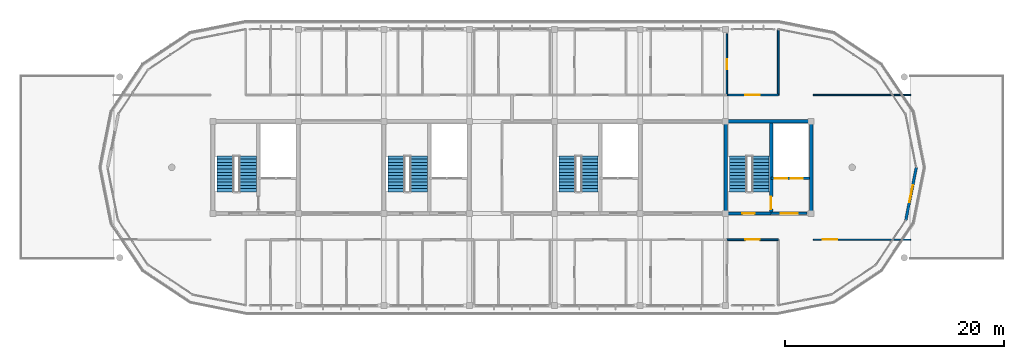
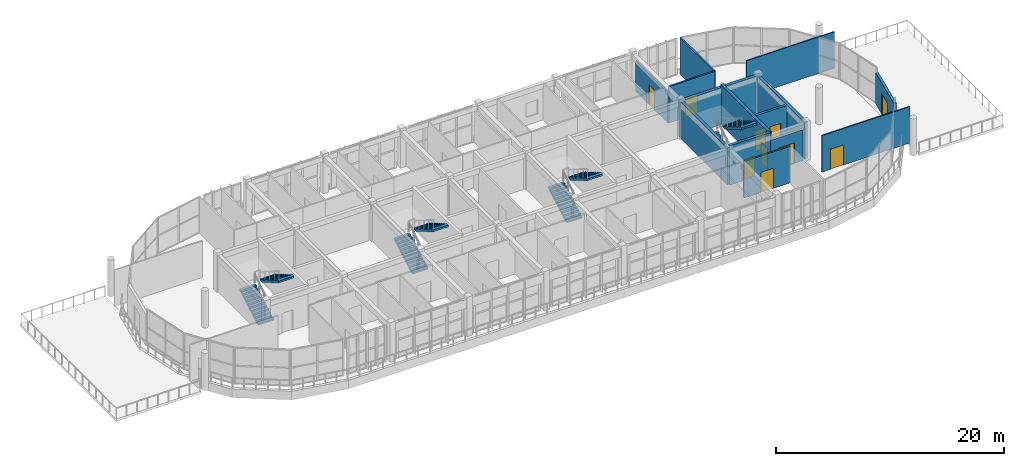
# One storey, part 41 of 44: 14 walls, 10 doors, 8 stair flights, 10 openings, 4 elements without a shape of their own.
"""IFC4 building model written with IfcOpenShell, lengths in metres."""

from ifc_helpers import new_model, si_unit, direction, frame, frame_2d, origin, place, context, subcontext, project, spatial, polyline, rectangle, outline, extrude, material, layer, layer_set, type_object, element, fill, aggregate, save


model = new_model("IFC4")

# Units and contexts
model_context = context("Model", 3, precision=1e-05, world=origin(), true_north=direction((0.0, 1.0)))
body_context = subcontext(model_context, "Body", "Model", "MODEL_VIEW")
ifc_project = project(units=[si_unit("LENGTHUNIT", "METRE"), si_unit("AREAUNIT", "SQUARE_METRE"), si_unit("VOLUMEUNIT", "CUBIC_METRE"), si_unit("PLANEANGLEUNIT", "RADIAN"), si_unit("MASSUNIT", "GRAM", prefix="KILO")], contexts=[model_context])

# Site, building, storey
site_placement = place(None, origin())
site = spatial("IfcSite", under=ifc_project, at=site_placement, CompositionType="ELEMENT")
building_placement = place(site_placement, origin())
building = spatial("IfcBuilding", under=site, at=building_placement, Name="Zizhar Promenade General Hospital", CompositionType="ELEMENT")
storey_placement = place(building_placement, frame((0.0, 0.0, 34.800048828125)))
storey = spatial("IfcBuildingStorey", under=building, at=storey_placement, Name="L08", CompositionType="ELEMENT", Elevation=34.800048828125)

# Wall, opening, door
ifc_material_1 = material(Name="Precast concrete C40/50", Category="concrete")
ifc_layer_1 = layer(ifc_material_1, 0.2451171875)
ifc_layer_set_1 = layer_set([ifc_layer_1], Name="Precast concrete C40/50")
wall_type_1 = type_object("IfcWallType", Name="EW-PC-245", PredefinedType="STANDARD", material=ifc_layer_set_1)
wall_1_placement = place(storey_placement, frame((111.0, 12.60009765625, 0.0), z_axis=(0.0, 0.0, 1.0), x_axis=(-0.195065517012, -0.980790214099, 0.0)))
wall_1 = element("IfcWall", 1, at=wall_1_placement, inside=storey, type_object=wall_type_1, Name="Ward East Terrace Portal Wall L08", PredefinedType="STANDARD", context=body_context, shape_type="SweptSolid", body=[
    extrude(rectangle(XDim=4.916259765625, YDim=0.2451171875, at=frame_2d((2.4580078125, 0.0))), origin(), (0.0, 0.0, 1.0), 3.320068359375),
])
opening_1_placement = place(wall_1_placement, frame((1.658203125, 0.0, 0.0)))
opening_1 = element("IfcOpeningElement", 2, at=opening_1_placement, cuts=wall_1, Name="Opening ED-05", PredefinedType="OPENING", context=body_context, shape_type="SweptSolid", body=[
    extrude(rectangle(XDim=1.60009765625, YDim=2.199951171875, at=frame_2d((0.800048828125, 1.10009765625))), frame((0.0, 0.132568359375, 0.0), z_axis=(0.0, -1.0, 0.0), x_axis=(1.0, 0.0, 0.0)), (0.0, 0.0, 1.0), 0.26513671875),
])
ifc_material_2 = material(Name="Anodised aluminium 6063-T6 and laminated safety glass", Category="aluminium")
door_type_1 = type_object("IfcDoorType", Name="DR-EXT-TERR-160x220", OperationType="DOUBLE_DOOR_SINGLE_SWING", PredefinedType="DOOR", material=ifc_material_2)
door_1_placement = place(opening_1_placement, origin())
door_1 = element("IfcDoor", 3, at=door_1_placement, inside=storey, type_object=door_type_1, Name="Level L08 East Recovery Terrace Door", OperationType="DOUBLE_DOOR_SINGLE_SWING", OverallHeight=2.199951171875, OverallWidth=1.60009765625, PredefinedType="DOOR", context=body_context, shape_type="SweptSolid", body=[
    extrude(rectangle(XDim=1.60009765625, YDim=2.199951171875, at=frame_2d((0.800048828125, 1.10009765625))), frame((0.0, 0.02490234375, 0.0), z_axis=(0.0, -1.0, 0.0), x_axis=(1.0, 0.0, 0.0)), (0.0, 0.0, 1.0), 0.050048828125),
])
fill(opening_1, door_1)

ifc_material_3 = material(Name="Concrete C35/45", Category="concrete")
ifc_layer_2 = layer(ifc_material_3, 0.215087890625)
ifc_layer_set_2 = layer_set([ifc_layer_2], Name="Concrete C35/45")
wall_type_2 = type_object("IfcWallType", Name="IW-LOBBY-215", PredefinedType="STANDARD", material=ifc_layer_set_2)
wall_2_placement = place(storey_placement, frame((97.75, 8.39990234375, 0.0), z_axis=(0.0, 0.0, 1.0), x_axis=(1.0, 0.0, 0.0)))
wall_2 = element("IfcWall", 4, at=wall_2_placement, inside=storey, type_object=wall_type_2, Name="Core C5 Lift Lobby South Fire Wall (L08)", PredefinedType="STANDARD", context=body_context, shape_type="SweptSolid", body=[
    extrude(rectangle(XDim=3.2900390625, YDim=0.215087890625, at=frame_2d((1.64501953125, 0.0))), origin(), (0.0, 0.0, 1.0), 3.320068359375),
])
opening_2_placement = place(wall_2_placement, frame((0.864990234375, 0.0, 0.0)))
opening_2 = element("IfcOpeningElement", 5, at=opening_2_placement, cuts=wall_2, Name="Opening D-22", PredefinedType="OPENING", context=body_context, shape_type="SweptSolid", body=[
    extrude(rectangle(XDim=1.56005859375, YDim=2.199951171875, at=frame_2d((0.780029296875, 1.10009765625))), frame((0.0, 0.11767578125, 0.0), z_axis=(0.0, -1.0, 0.0), x_axis=(1.0, 0.0, 0.0)), (0.0, 0.0, 1.0), 0.235107421875),
])
ifc_material_4 = material(Name="Steel S355 firefighting lobby pair", Category="steel")
door_type_2 = type_object("IfcDoorType", Name="DR-LOBBY-FF-156x220", OperationType="DOUBLE_DOOR_SINGLE_SWING", PredefinedType="DOOR", material=ifc_material_4)
door_2_placement = place(opening_2_placement, origin())
door_2 = element("IfcDoor", 6, at=door_2_placement, inside=storey, type_object=door_type_2, Name="Core C5 Firefighting Lift Lobby Door (L08)", OperationType="DOUBLE_DOOR_SINGLE_SWING", OverallHeight=2.199951171875, OverallWidth=1.56005859375, PredefinedType="DOOR", context=body_context, shape_type="SweptSolid", body=[
    extrude(rectangle(XDim=1.56005859375, YDim=2.199951171875, at=frame_2d((0.780029296875, 1.10009765625))), frame((0.0, 0.02490234375, 0.0), z_axis=(0.0, -1.0, 0.0), x_axis=(1.0, 0.0, 0.0)), (0.0, 0.0, 1.0), 0.050048828125),
])
fill(opening_2, door_2)

# Wall, openings, doors
ifc_material_5 = material(Name="Concrete C35/45", Category="concrete")
ifc_layer_3 = layer(ifc_material_5, 0.25)
ifc_layer_set_3 = layer_set([ifc_layer_3], Name="Concrete C35/45")
wall_type_3 = type_object("IfcWallType", Name="IW-SHAFT-250", PredefinedType="STANDARD", material=ifc_layer_set_3)
wall_3_placement = place(storey_placement, frame((97.75, 11.60009765625, 0.0), z_axis=(0.0, 0.0, 1.0), x_axis=(1.0, 0.0, 0.0)))
wall_3 = element("IfcWall", 7, at=wall_3_placement, inside=storey, type_object=wall_type_3, Name="Core C5 Lift Shaft Landing Wall (L08)", PredefinedType="STANDARD", context=body_context, shape_type="SweptSolid", body=[
    extrude(rectangle(XDim=3.5, YDim=0.25, at=frame_2d((1.75, 0.0))), origin(), (0.0, 0.0, 1.0), 3.89990234375),
])
opening_3_placement = place(wall_3_placement, frame((0.35009765625, 0.0, 0.0)))
opening_3 = element("IfcOpeningElement", 8, at=opening_3_placement, cuts=wall_3, Name="Opening LD-11", PredefinedType="OPENING", context=body_context, shape_type="SweptSolid", body=[
    extrude(rectangle(XDim=1.10009765625, YDim=2.199951171875, at=frame_2d((0.550048828125, 1.10009765625))), frame((0.0, 0.135009765625, 0.0), z_axis=(0.0, -1.0, 0.0), x_axis=(1.0, 0.0, 0.0)), (0.0, 0.0, 1.0), 0.27001953125),
])
opening_4_placement = place(wall_3_placement, frame((1.800048828125, 0.0, 0.0)))
opening_4 = element("IfcOpeningElement", 9, at=opening_4_placement, cuts=wall_3, Name="Opening LD-11", PredefinedType="OPENING", context=body_context, shape_type="SweptSolid", body=[
    extrude(rectangle(XDim=1.10009765625, YDim=2.199951171875, at=frame_2d((0.550048828125, 1.10009765625))), frame((0.0, 0.135009765625, 0.0), z_axis=(0.0, -1.0, 0.0), x_axis=(1.0, 0.0, 0.0)), (0.0, 0.0, 1.0), 0.27001953125),
])
ifc_material_6 = material(Name="Stainless Steel S355 passenger lift landing door", Category="steel")
door_type_3 = type_object("IfcDoorType", Name="DR-LIFT-LD11", OperationType="SLIDING_TO_LEFT", PredefinedType="DOOR", material=ifc_material_6)
door_3_placement = place(opening_3_placement, origin())
door_3 = element("IfcDoor", 10, at=door_3_placement, inside=storey, type_object=door_type_3, Name="Lift LF-02 Sliding Landing Door (L08)", OperationType="SLIDING_TO_LEFT", OverallHeight=2.199951171875, OverallWidth=1.10009765625, PredefinedType="DOOR", context=body_context, shape_type="SweptSolid", body=[
    extrude(rectangle(XDim=1.10009765625, YDim=2.199951171875, at=frame_2d((0.550048828125, 1.10009765625))), frame((0.0, 0.02490234375, 0.0), z_axis=(0.0, -1.0, 0.0), x_axis=(1.0, 0.0, 0.0)), (0.0, 0.0, 1.0), 0.050048828125),
])
fill(opening_3, door_3)
door_4_placement = place(opening_4_placement, origin())
door_4 = element("IfcDoor", 11, at=door_4_placement, inside=storey, type_object=door_type_3, Name="Lift LB-04 Sliding Landing Door (L08)", OperationType="SLIDING_TO_LEFT", OverallHeight=2.199951171875, OverallWidth=1.10009765625, PredefinedType="DOOR", context=body_context, shape_type="SweptSolid", body=[
    extrude(rectangle(XDim=1.10009765625, YDim=2.199951171875, at=frame_2d((0.550048828125, 1.10009765625))), frame((0.0, 0.02490234375, 0.0), z_axis=(0.0, -1.0, 0.0), x_axis=(1.0, 0.0, 0.0)), (0.0, 0.0, 1.0), 0.050048828125),
])
fill(opening_4, door_4)

# Wall, opening, door
ifc_material_7 = material(Name="Clean utility gypsum partition")
ifc_layer_4 = layer(ifc_material_7, 0.114990234375)
ifc_layer_set_4 = layer_set([ifc_layer_4], Name="Clean utility gypsum partition")
wall_type_4 = type_object("IfcWallType", Name="IW-STR-115", PredefinedType="PARTITIONING", material=ifc_layer_set_4)
wall_4_placement = place(storey_placement, frame((101.60009765625, 6.0, 0.0), z_axis=(0.0, 0.0, 1.0), x_axis=(1.0, 0.0, 0.0)))
wall_4 = element("IfcWall", 12, at=wall_4_placement, inside=storey, type_object=wall_type_4, Name="East Patient Recovery Solarium L08 S Partition", PredefinedType="PARTITIONING", context=body_context, shape_type="SweptSolid", body=[
    extrude(rectangle(XDim=8.89990234375, YDim=0.114990234375, at=frame_2d((4.449951171875, 0.0))), origin(), (0.0, 0.0, 1.0), 3.89990234375),
])
opening_5_placement = place(wall_4_placement, frame((0.85009765625, 0.0, 0.0)))
opening_5 = element("IfcOpeningElement", 13, at=opening_5_placement, cuts=wall_4, Name="Opening D-26", PredefinedType="OPENING", context=body_context, shape_type="SweptSolid", body=[
    extrude(rectangle(XDim=1.320068359375, YDim=2.14990234375, at=frame_2d((0.66015625, 1.074951171875))), frame((0.0, 0.0673828125, 0.0), z_axis=(0.0, -1.0, 0.0), x_axis=(1.0, 0.0, 0.0)), (0.0, 0.0, 1.0), 0.135009765625),
])
ifc_material_8 = material(Name="Fire-rated timber store leaf", Category="wood")
door_type_4 = type_object("IfcDoorType", Name="DR-STORE-132x215", OperationType="NOTDEFINED", PredefinedType="DOOR", material=ifc_material_8)
door_5_placement = place(opening_5_placement, origin())
door_5 = element("IfcDoor", 14, at=door_5_placement, inside=storey, type_object=door_type_4, Name="East Patient Recovery Solarium L08 Door", OperationType="SINGLE_SWING_LEFT", OverallHeight=2.14990234375, OverallWidth=1.320068359375, PredefinedType="DOOR", context=body_context, shape_type="SweptSolid", body=[
    extrude(rectangle(XDim=1.320068359375, YDim=2.14990234375, at=frame_2d((0.66015625, 1.074951171875))), frame((0.0, 0.02490234375, 0.0), z_axis=(0.0, -1.0, 0.0), x_axis=(1.0, 0.0, 0.0)), (0.0, 0.0, 1.0), 0.050048828125),
])
fill(opening_5, door_5)

# Wall
wall_5_placement = place(storey_placement, frame((101.60009765625, 19.199951171875, 0.0), z_axis=(0.0, 0.0, 1.0), x_axis=(1.0, 0.0, 0.0)))
element("IfcWall", 15, at=wall_5_placement, inside=storey, type_object=wall_type_4, Name="East Patient Recovery Solarium L08 N Partition", PredefinedType="PARTITIONING", context=body_context, shape_type="SweptSolid", body=[
    extrude(rectangle(XDim=8.89990234375, YDim=0.114990234375, at=frame_2d((4.449951171875, 0.0))), origin(), (0.0, 0.0, 1.0), 3.89990234375),
])

# Wall, opening, door
ifc_material_9 = material(Name="Acoustic patient bedroom partition")
ifc_layer_5 = layer(ifc_material_9, 0.155029296875)
ifc_layer_set_5 = layer_set([ifc_layer_5], Name="Acoustic patient bedroom partition")
wall_type_5 = type_object("IfcWallType", Name="IW-WARD-155", PredefinedType="PARTITIONING", material=ifc_layer_set_5)
wall_6_placement = place(storey_placement, frame((93.717041015625, 6.0, 0.0), z_axis=(0.0, 0.0, 1.0), x_axis=(1.0, 0.0, 0.0)))
wall_6 = element("IfcWall", 16, at=wall_6_placement, inside=storey, type_object=wall_type_5, Name="Paediatric Inpatient Ward L08-S07 N Partition", PredefinedType="PARTITIONING", context=body_context, shape_type="SweptSolid", body=[
    extrude(rectangle(XDim=4.682861328125, YDim=0.155029296875, at=frame_2d((2.34130859375, 0.0))), origin(), (0.0, 0.0, 1.0), 3.89990234375),
])
opening_6_placement = place(wall_6_placement, frame((1.69140625, 0.0, 0.0)))
opening_6 = element("IfcOpeningElement", 17, at=opening_6_placement, cuts=wall_6, Name="Opening D-09", PredefinedType="OPENING", context=body_context, shape_type="SweptSolid", body=[
    extrude(rectangle(XDim=1.300048828125, YDim=2.14990234375, at=frame_2d((0.64990234375, 1.074951171875))), frame((0.0, 0.08740234375, 0.0), z_axis=(0.0, -1.0, 0.0), x_axis=(1.0, 0.0, 0.0)), (0.0, 0.0, 1.0), 0.175048828125),
])
ifc_material_10 = material(Name="Fire-rated timber paediatric bed leaf", Category="wood")
door_type_5 = type_object("IfcDoorType", Name="DR-BED-PAED-130x215", OperationType="NOTDEFINED", PredefinedType="DOOR", material=ifc_material_10)
door_6_placement = place(opening_6_placement, origin())
door_6 = element("IfcDoor", 18, at=door_6_placement, inside=storey, type_object=door_type_5, Name="Paediatric Inpatient Ward L08-S07 Door", OperationType="SINGLE_SWING_RIGHT", OverallHeight=2.14990234375, OverallWidth=1.300048828125, PredefinedType="DOOR", context=body_context, shape_type="SweptSolid", body=[
    extrude(rectangle(XDim=1.300048828125, YDim=2.14990234375, at=frame_2d((0.64990234375, 1.074951171875))), frame((0.0, 0.02490234375, 0.0), z_axis=(0.0, -1.0, 0.0), x_axis=(1.0, 0.0, 0.0)), (0.0, 0.0, 1.0), 0.050048828125),
])
fill(opening_6, door_6)

wall_7_placement = place(storey_placement, frame((93.717041015625, 19.199951171875, 0.0), z_axis=(0.0, 0.0, 1.0), x_axis=(1.0, 0.0, 0.0)))
wall_7 = element("IfcWall", 19, at=wall_7_placement, inside=storey, type_object=wall_type_5, Name="Paediatric Inpatient Ward L08-N07 S Partition", PredefinedType="PARTITIONING", context=body_context, shape_type="SweptSolid", body=[
    extrude(rectangle(XDim=4.682861328125, YDim=0.155029296875, at=frame_2d((2.34130859375, 0.0))), origin(), (0.0, 0.0, 1.0), 3.89990234375),
])
opening_7_placement = place(wall_7_placement, frame((1.69140625, 0.0, 0.0)))
opening_7 = element("IfcOpeningElement", 20, at=opening_7_placement, cuts=wall_7, Name="Opening D-09", PredefinedType="OPENING", context=body_context, shape_type="SweptSolid", body=[
    extrude(rectangle(XDim=1.300048828125, YDim=2.14990234375, at=frame_2d((0.64990234375, 1.074951171875))), frame((0.0, 0.08740234375, 0.0), z_axis=(0.0, -1.0, 0.0), x_axis=(1.0, 0.0, 0.0)), (0.0, 0.0, 1.0), 0.175048828125),
])
door_7_placement = place(opening_7_placement, origin())
door_7 = element("IfcDoor", 21, at=door_7_placement, inside=storey, type_object=door_type_5, Name="Paediatric Inpatient Ward L08-N07 Door", OperationType="SINGLE_SWING_LEFT", OverallHeight=2.14990234375, OverallWidth=1.300048828125, PredefinedType="DOOR", context=body_context, shape_type="SweptSolid", body=[
    extrude(rectangle(XDim=1.300048828125, YDim=2.14990234375, at=frame_2d((0.64990234375, 1.074951171875))), frame((0.0, 0.02490234375, 0.0), z_axis=(0.0, -1.0, 0.0), x_axis=(1.0, 0.0, 0.0)), (0.0, 0.0, 1.0), 0.050048828125),
])
fill(opening_7, door_7)

# Wall
wall_8_placement = place(storey_placement, frame((98.39990234375, 19.199951171875, 0.0), z_axis=(0.0, 0.0, 1.0), x_axis=(0.0, 1.0, 0.0)))
element("IfcWall", 22, at=wall_8_placement, inside=storey, type_object=wall_type_5, Name="Paediatric Inpatient Ward L08-N07 E Partition", PredefinedType="PARTITIONING", context=body_context, shape_type="SweptSolid", body=[
    extrude(rectangle(XDim=5.955078125, YDim=0.155029296875, at=frame_2d((2.9775390625, 0.0))), origin(), (0.0, 0.0, 1.0), 3.89990234375),
])

# Wall, opening, door
ifc_material_11 = material(Name="Moisture-resistant en-suite wet partition")
ifc_layer_6 = layer(ifc_material_11, 0.125)
ifc_layer_set_6 = layer_set([ifc_layer_6], Name="Moisture-resistant en-suite wet partition")
wall_type_6 = type_object("IfcWallType", Name="IW-WET-125", PredefinedType="PARTITIONING", material=ifc_layer_set_6)
wall_9_placement = place(storey_placement, frame((93.70703125, 19.199951171875, 0.0), z_axis=(0.0, 0.0, 1.0), x_axis=(0.0, 1.0, 0.0)))
wall_9 = element("IfcWall", 23, at=wall_9_placement, inside=storey, type_object=wall_type_6, Name="En-Suite Patient Bathroom L08-N07 E Partition", PredefinedType="PARTITIONING", context=body_context, shape_type="SweptSolid", body=[
    extrude(rectangle(XDim=5.594970703125, YDim=0.125, at=frame_2d((2.79736328125, 0.0))), origin(), (0.0, 0.0, 1.0), 3.304931640625),
])
opening_8_placement = place(wall_9_placement, frame((2.33740234375, 0.0, 0.0)))
opening_8 = element("IfcOpeningElement", 24, at=opening_8_placement, cuts=wall_9, Name="Opening D-18", PredefinedType="OPENING", context=body_context, shape_type="SweptSolid", body=[
    extrude(rectangle(XDim=0.919921875, YDim=2.10009765625, at=frame_2d((0.4599609375, 1.050048828125))), frame((0.0, 0.072509765625, 0.0), z_axis=(0.0, -1.0, 0.0), x_axis=(1.0, 0.0, 0.0)), (0.0, 0.0, 1.0), 0.14501953125),
])
ifc_material_12 = material(Name="Moisture-resistant timber en-suite leaf", Category="wood")
door_type_6 = type_object("IfcDoorType", Name="DR-ENS-STD-092x210", OperationType="NOTDEFINED", PredefinedType="DOOR", material=ifc_material_12)
door_8_placement = place(opening_8_placement, origin())
door_8 = element("IfcDoor", 25, at=door_8_placement, inside=storey, type_object=door_type_6, Name="En-Suite Patient Bathroom L08-N07 Door", OperationType="SINGLE_SWING_LEFT", OverallHeight=2.10009765625, OverallWidth=0.919921875, PredefinedType="DOOR", context=body_context, shape_type="SweptSolid", body=[
    extrude(rectangle(XDim=0.919921875, YDim=2.10009765625, at=frame_2d((0.4599609375, 1.050048828125))), frame((0.0, 0.02490234375, 0.0), z_axis=(0.0, -1.0, 0.0), x_axis=(1.0, 0.0, 0.0)), (0.0, 0.0, 1.0), 0.050048828125),
])
fill(opening_8, door_8)

# Walls
ifc_material_13 = material(Name="Concrete C40/50", Category="concrete")
ifc_layer_7 = layer(ifc_material_13, 0.300048828125)
ifc_layer_set_7 = layer_set([ifc_layer_7], Name="Concrete C40/50")
wall_type_7 = type_object("IfcWallType", Name="WL-CORE-300", PredefinedType="SHEAR", material=ifc_layer_set_7)
wall_10_placement = place(storey_placement, frame((93.449951171875, 16.800048828125, 0.0), z_axis=(0.0, 0.0, 1.0), x_axis=(1.0, 0.0, 0.0)))
element("IfcWall", 26, at=wall_10_placement, inside=storey, type_object=wall_type_7, Name="Core C5 North Shear Wall L08", PredefinedType="SHEAR", context=body_context, shape_type="SweptSolid", body=[
    extrude(rectangle(XDim=8.10009765625, YDim=0.300048828125, at=frame_2d((4.050048828125, 0.0))), origin(), (0.0, 0.0, 1.0), 3.919921875),
])
for number, where, z_axis, x_axis, name in (
    (27, (93.60009765625, 8.39990234375, 0.0), (0.0, 0.0, 1.0), (0.0, 1.0, 0.0), "Core C5 West Shear Wall L08"),
    (28, (101.39990234375, 8.39990234375, 0.0), (0.0, 0.0, 1.0), (0.0, 1.0, 0.0), "Core C5 East Shear Wall L08"),
):
    element("IfcWall", number, at=place(storey_placement, frame(where, z_axis=z_axis, x_axis=x_axis)), inside=storey, type_object=wall_type_7, Name=name, PredefinedType="SHEAR", context=body_context, shape_type="SweptSolid", body=[
        extrude(rectangle(XDim=8.400146484375, YDim=0.300048828125, at=frame_2d((4.2001953125, 0.0))), origin(), (0.0, 0.0, 1.0), 3.919921875),
    ])

# Wall, opening, door
wall_11_placement = place(storey_placement, frame((93.60009765625, 8.39990234375, 0.0), z_axis=(0.0, 0.0, 1.0), x_axis=(1.0, 0.0, 0.0)))
wall_11 = element("IfcWall", 29, at=wall_11_placement, inside=storey, type_object=wall_type_7, Name="Core C5 Stair South Fire Wall (L08)", PredefinedType="SHEAR", context=body_context, shape_type="SweptSolid", body=[
    extrude(rectangle(XDim=4.14990234375, YDim=0.300048828125, at=frame_2d((2.074951171875, 0.0))), origin(), (0.0, 0.0, 1.0), 4.199951171875),
])
opening_9_placement = place(wall_11_placement, frame((1.514892578125, 0.0, 0.0)))
opening_9 = element("IfcOpeningElement", 30, at=opening_9_placement, cuts=wall_11, Name="Opening D-21", PredefinedType="OPENING", context=body_context, shape_type="SweptSolid", body=[
    extrude(rectangle(XDim=1.1201171875, YDim=2.14990234375, at=frame_2d((0.56005859375, 1.074951171875))), frame((0.0, 0.16015625, 0.0), z_axis=(0.0, -1.0, 0.0), x_axis=(1.0, 0.0, 0.0)), (0.0, 0.0, 1.0), 0.320068359375),
])
ifc_material_14 = material(Name="Steel S355 protected stair door", Category="steel")
door_type_7 = type_object("IfcDoorType", Name="DR-STAIR-112x215", OperationType="NOTDEFINED", PredefinedType="DOOR", material=ifc_material_14)
door_9_placement = place(opening_9_placement, origin())
door_9 = element("IfcDoor", 31, at=door_9_placement, inside=storey, type_object=door_type_7, Name="Exit Stair ST-05 Door (L08)", OperationType="SINGLE_SWING_RIGHT", OverallHeight=2.14990234375, OverallWidth=1.1201171875, PredefinedType="DOOR", context=body_context, shape_type="SweptSolid", body=[
    extrude(rectangle(XDim=1.1201171875, YDim=2.14990234375, at=frame_2d((0.56005859375, 1.074951171875))), frame((0.0, 0.02490234375, 0.0), z_axis=(0.0, -1.0, 0.0), x_axis=(1.0, 0.0, 0.0)), (0.0, 0.0, 1.0), 0.050048828125),
])
fill(opening_9, door_9)

wall_12_placement = place(storey_placement, frame((97.75, 8.39990234375, 0.0), z_axis=(0.0, 0.0, 1.0), x_axis=(0.0, 1.0, 0.0)))
wall_12 = element("IfcWall", 32, at=wall_12_placement, inside=storey, type_object=wall_type_7, Name="Core C5 Stair-Shaft Separation Wall (L08)", PredefinedType="SHEAR", context=body_context, shape_type="SweptSolid", body=[
    extrude(rectangle(XDim=8.400146484375, YDim=0.300048828125, at=frame_2d((4.2001953125, 0.0))), origin(), (0.0, 0.0, 1.0), 4.199951171875),
])
opening_10_placement = place(wall_12_placement, frame((0.39990234375, 0.0, 0.0)))
opening_10 = element("IfcOpeningElement", 33, at=opening_10_placement, cuts=wall_12, Name="Opening D-21", PredefinedType="OPENING", context=body_context, shape_type="SweptSolid", body=[
    extrude(rectangle(XDim=1.1201171875, YDim=2.14990234375, at=frame_2d((0.56005859375, 1.074951171875))), frame((0.0, 0.16015625, 0.0), z_axis=(0.0, -1.0, 0.0), x_axis=(1.0, 0.0, 0.0)), (0.0, 0.0, 1.0), 0.320068359375),
])
door_10_placement = place(opening_10_placement, origin())
door_10 = element("IfcDoor", 34, at=door_10_placement, inside=storey, type_object=door_type_7, Name="Firefighting Lobby to Stair ST-05 Door (L08)", OperationType="SINGLE_SWING_LEFT", OverallHeight=2.14990234375, OverallWidth=1.1201171875, PredefinedType="DOOR", context=body_context, shape_type="SweptSolid", body=[
    extrude(rectangle(XDim=1.1201171875, YDim=2.14990234375, at=frame_2d((0.56005859375, 1.074951171875))), frame((0.0, 0.02490234375, 0.0), z_axis=(0.0, -1.0, 0.0), x_axis=(1.0, 0.0, 0.0)), (0.0, 0.0, 1.0), 0.050048828125),
])
fill(opening_10, door_10)

# Stair, stair flights
ifc_material_15 = material(Name="Concrete C35/45", Category="concrete")
stair_type = type_object("IfcStairType", Name="STR-DOG-420", PredefinedType="HALF_TURN_STAIR", material=ifc_material_15)
stair_1_placement = place(storey_placement, origin())
stair_1 = element("IfcStair", 35, at=stair_1_placement, inside=storey, type_object=stair_type, Name="Exit Stair ST-02 (L08 to L09)", PredefinedType="HALF_TURN_STAIR")
ifc_material_16 = material(Name="Concrete C35/45", Category="concrete")
stair_flight_type = type_object("IfcStairFlightType", Name="SFL-DOG-420", PredefinedType="STRAIGHT", material=ifc_material_16)
stair_flight_1_placement = place(storey_placement, frame((47.949951171875, 10.35009765625, 0.0), z_axis=(0.0, 0.0, 1.0), x_axis=(0.0, 1.0, 0.0)))
stair_flight_1 = element("IfcStairFlight", 36, at=stair_flight_1_placement, type_object=stair_flight_type, Name="ST-02C flight 1", NumberOfRisers=12, NumberOfTreads=11, PredefinedType="STRAIGHT", RiserHeight=0.175, TreadLength=0.3, context=body_context, shape_type="SweptSolid", body=[
    extrude(outline(polyline([(0.0, 0.0), (0.0, 0.175048828125), (0.300048828125, 0.175048828125), (0.300048828125, 0.35009765625), (0.60009765625, 0.35009765625), (0.60009765625, 0.52490234375), (0.89990234375, 0.52490234375), (0.89990234375, 0.699951171875), (1.199951171875, 0.699951171875), (1.199951171875, 0.875), (1.5, 0.875), (1.5, 1.050048828125), (1.800048828125, 1.050048828125), (1.800048828125, 1.22509765625), (2.10009765625, 1.22509765625), (2.10009765625, 1.39990234375), (2.39990234375, 1.39990234375), (2.39990234375, 1.574951171875), (2.699951171875, 1.574951171875), (2.699951171875, 1.75), (3.0, 1.75), (3.0, 1.925048828125), (3.300048828125, 1.925048828125), (3.300048828125, 2.10009765625), (3.300048828125, 1.716796875), (0.357177734375, 0.0), (0.0, 0.0)])), frame((0.0, 0.780029296875, 0.0), z_axis=(0.0, -1.0, 0.0), x_axis=(1.0, 0.0, 0.0)), (0.0, 0.0, 1.0), 1.56005859375),
])
stair_flight_2_placement = place(storey_placement, frame((49.989990234375, 13.64990234375, 2.099853515625), z_axis=(0.0, 0.0, 1.0), x_axis=(0.0, -1.0, 0.0)))
stair_flight_2 = element("IfcStairFlight", 37, at=stair_flight_2_placement, type_object=stair_flight_type, Name="ST-02C flight 2", NumberOfRisers=12, NumberOfTreads=11, PredefinedType="STRAIGHT", RiserHeight=0.175, TreadLength=0.3, context=body_context, shape_type="SweptSolid", body=[
    extrude(outline(polyline([(0.0, 0.0), (0.0, 0.175048828125), (0.300048828125, 0.175048828125), (0.300048828125, 0.35009765625), (0.60009765625, 0.35009765625), (0.60009765625, 0.52490234375), (0.89990234375, 0.52490234375), (0.89990234375, 0.699951171875), (1.199951171875, 0.699951171875), (1.199951171875, 0.875), (1.5, 0.875), (1.5, 1.050048828125), (1.800048828125, 1.050048828125), (1.800048828125, 1.22509765625), (2.10009765625, 1.22509765625), (2.10009765625, 1.39990234375), (2.39990234375, 1.39990234375), (2.39990234375, 1.574951171875), (2.699951171875, 1.574951171875), (2.699951171875, 1.75), (3.0, 1.75), (3.0, 1.925048828125), (3.300048828125, 1.925048828125), (3.300048828125, 2.10009765625), (3.300048828125, 1.716796875), (0.357177734375, 0.0), (0.0, 0.0)])), frame((0.0, 0.780029296875, 0.0), z_axis=(0.0, -1.0, 0.0), x_axis=(1.0, 0.0, 0.0)), (0.0, 0.0, 1.0), 1.56005859375),
])
aggregate(stair_1, [stair_flight_1, stair_flight_2])

stair_2_placement = place(storey_placement, origin())
stair_2 = element("IfcStair", 38, at=stair_2_placement, inside=storey, type_object=stair_type, Name="Exit Stair ST-03 (L08 to L09)", PredefinedType="HALF_TURN_STAIR")
stair_flight_3_placement = place(storey_placement, frame((63.550048828125, 10.35009765625, 0.0), z_axis=(0.0, 0.0, 1.0), x_axis=(0.0, 1.0, 0.0)))
stair_flight_3 = element("IfcStairFlight", 39, at=stair_flight_3_placement, type_object=stair_flight_type, Name="ST-03C flight 1", NumberOfRisers=12, NumberOfTreads=11, PredefinedType="STRAIGHT", RiserHeight=0.175, TreadLength=0.3, context=body_context, shape_type="SweptSolid", body=[
    extrude(outline(polyline([(0.0, 0.0), (0.0, 0.175048828125), (0.300048828125, 0.175048828125), (0.300048828125, 0.35009765625), (0.60009765625, 0.35009765625), (0.60009765625, 0.52490234375), (0.89990234375, 0.52490234375), (0.89990234375, 0.699951171875), (1.199951171875, 0.699951171875), (1.199951171875, 0.875), (1.5, 0.875), (1.5, 1.050048828125), (1.800048828125, 1.050048828125), (1.800048828125, 1.22509765625), (2.10009765625, 1.22509765625), (2.10009765625, 1.39990234375), (2.39990234375, 1.39990234375), (2.39990234375, 1.574951171875), (2.699951171875, 1.574951171875), (2.699951171875, 1.75), (3.0, 1.75), (3.0, 1.925048828125), (3.300048828125, 1.925048828125), (3.300048828125, 2.10009765625), (3.300048828125, 1.716796875), (0.357177734375, 0.0), (0.0, 0.0)])), frame((0.0, 0.780029296875, 0.0), z_axis=(0.0, -1.0, 0.0), x_axis=(1.0, 0.0, 0.0)), (0.0, 0.0, 1.0), 1.56005859375),
])
stair_flight_4_placement = place(storey_placement, frame((65.590087890625, 13.64990234375, 2.099853515625), z_axis=(0.0, 0.0, 1.0), x_axis=(0.0, -1.0, 0.0)))
stair_flight_4 = element("IfcStairFlight", 40, at=stair_flight_4_placement, type_object=stair_flight_type, Name="ST-03C flight 2", NumberOfRisers=12, NumberOfTreads=11, PredefinedType="STRAIGHT", RiserHeight=0.175, TreadLength=0.3, context=body_context, shape_type="SweptSolid", body=[
    extrude(outline(polyline([(0.0, 0.0), (0.0, 0.175048828125), (0.300048828125, 0.175048828125), (0.300048828125, 0.35009765625), (0.60009765625, 0.35009765625), (0.60009765625, 0.52490234375), (0.89990234375, 0.52490234375), (0.89990234375, 0.699951171875), (1.199951171875, 0.699951171875), (1.199951171875, 0.875), (1.5, 0.875), (1.5, 1.050048828125), (1.800048828125, 1.050048828125), (1.800048828125, 1.22509765625), (2.10009765625, 1.22509765625), (2.10009765625, 1.39990234375), (2.39990234375, 1.39990234375), (2.39990234375, 1.574951171875), (2.699951171875, 1.574951171875), (2.699951171875, 1.75), (3.0, 1.75), (3.0, 1.925048828125), (3.300048828125, 1.925048828125), (3.300048828125, 2.10009765625), (3.300048828125, 1.716796875), (0.357177734375, 0.0), (0.0, 0.0)])), frame((0.0, 0.780029296875, 0.0), z_axis=(0.0, -1.0, 0.0), x_axis=(1.0, 0.0, 0.0)), (0.0, 0.0, 1.0), 1.56005859375),
])
aggregate(stair_2, [stair_flight_3, stair_flight_4])

stair_3_placement = place(storey_placement, origin())
stair_3 = element("IfcStair", 41, at=stair_3_placement, inside=storey, type_object=stair_type, Name="Exit Stair ST-04 (L08 to L09)", PredefinedType="HALF_TURN_STAIR")
stair_flight_5_placement = place(storey_placement, frame((79.14990234375, 10.35009765625, 0.0), z_axis=(0.0, 0.0, 1.0), x_axis=(0.0, 1.0, 0.0)))
stair_flight_5 = element("IfcStairFlight", 42, at=stair_flight_5_placement, type_object=stair_flight_type, Name="ST-04C flight 1", NumberOfRisers=12, NumberOfTreads=11, PredefinedType="STRAIGHT", RiserHeight=0.175, TreadLength=0.3, context=body_context, shape_type="SweptSolid", body=[
    extrude(outline(polyline([(0.0, 0.0), (0.0, 0.175048828125), (0.300048828125, 0.175048828125), (0.300048828125, 0.35009765625), (0.60009765625, 0.35009765625), (0.60009765625, 0.52490234375), (0.89990234375, 0.52490234375), (0.89990234375, 0.699951171875), (1.199951171875, 0.699951171875), (1.199951171875, 0.875), (1.5, 0.875), (1.5, 1.050048828125), (1.800048828125, 1.050048828125), (1.800048828125, 1.22509765625), (2.10009765625, 1.22509765625), (2.10009765625, 1.39990234375), (2.39990234375, 1.39990234375), (2.39990234375, 1.574951171875), (2.699951171875, 1.574951171875), (2.699951171875, 1.75), (3.0, 1.75), (3.0, 1.925048828125), (3.300048828125, 1.925048828125), (3.300048828125, 2.10009765625), (3.300048828125, 1.716796875), (0.357177734375, 0.0), (0.0, 0.0)])), frame((0.0, 0.780029296875, 0.0), z_axis=(0.0, -1.0, 0.0), x_axis=(1.0, 0.0, 0.0)), (0.0, 0.0, 1.0), 1.56005859375),
])
stair_flight_6_placement = place(storey_placement, frame((81.18994140625, 13.64990234375, 2.099853515625), z_axis=(0.0, 0.0, 1.0), x_axis=(0.0, -1.0, 0.0)))
stair_flight_6 = element("IfcStairFlight", 43, at=stair_flight_6_placement, type_object=stair_flight_type, Name="ST-04C flight 2", NumberOfRisers=12, NumberOfTreads=11, PredefinedType="STRAIGHT", RiserHeight=0.175, TreadLength=0.3, context=body_context, shape_type="SweptSolid", body=[
    extrude(outline(polyline([(0.0, 0.0), (0.0, 0.175048828125), (0.300048828125, 0.175048828125), (0.300048828125, 0.35009765625), (0.60009765625, 0.35009765625), (0.60009765625, 0.52490234375), (0.89990234375, 0.52490234375), (0.89990234375, 0.699951171875), (1.199951171875, 0.699951171875), (1.199951171875, 0.875), (1.5, 0.875), (1.5, 1.050048828125), (1.800048828125, 1.050048828125), (1.800048828125, 1.22509765625), (2.10009765625, 1.22509765625), (2.10009765625, 1.39990234375), (2.39990234375, 1.39990234375), (2.39990234375, 1.574951171875), (2.699951171875, 1.574951171875), (2.699951171875, 1.75), (3.0, 1.75), (3.0, 1.925048828125), (3.300048828125, 1.925048828125), (3.300048828125, 2.10009765625), (3.300048828125, 1.716796875), (0.357177734375, 0.0), (0.0, 0.0)])), frame((0.0, 0.780029296875, 0.0), z_axis=(0.0, -1.0, 0.0), x_axis=(1.0, 0.0, 0.0)), (0.0, 0.0, 1.0), 1.56005859375),
])
aggregate(stair_3, [stair_flight_5, stair_flight_6])

stair_4_placement = place(storey_placement, origin())
stair_4 = element("IfcStair", 44, at=stair_4_placement, inside=storey, type_object=stair_type, Name="Exit Stair ST-05 (L08 to L09)", PredefinedType="HALF_TURN_STAIR")
stair_flight_7_placement = place(storey_placement, frame((94.75, 10.35009765625, 0.0), z_axis=(0.0, 0.0, 1.0), x_axis=(0.0, 1.0, 0.0)))
stair_flight_7 = element("IfcStairFlight", 45, at=stair_flight_7_placement, type_object=stair_flight_type, Name="ST-05C flight 1", NumberOfRisers=12, NumberOfTreads=11, PredefinedType="STRAIGHT", RiserHeight=0.175, TreadLength=0.3, context=body_context, shape_type="SweptSolid", body=[
    extrude(outline(polyline([(0.0, 0.0), (0.0, 0.175048828125), (0.300048828125, 0.175048828125), (0.300048828125, 0.35009765625), (0.60009765625, 0.35009765625), (0.60009765625, 0.52490234375), (0.89990234375, 0.52490234375), (0.89990234375, 0.699951171875), (1.199951171875, 0.699951171875), (1.199951171875, 0.875), (1.5, 0.875), (1.5, 1.050048828125), (1.800048828125, 1.050048828125), (1.800048828125, 1.22509765625), (2.10009765625, 1.22509765625), (2.10009765625, 1.39990234375), (2.39990234375, 1.39990234375), (2.39990234375, 1.574951171875), (2.699951171875, 1.574951171875), (2.699951171875, 1.75), (3.0, 1.75), (3.0, 1.925048828125), (3.300048828125, 1.925048828125), (3.300048828125, 2.10009765625), (3.300048828125, 1.716796875), (0.357177734375, 0.0), (0.0, 0.0)])), frame((0.0, 0.780029296875, 0.0), z_axis=(0.0, -1.0, 0.0), x_axis=(1.0, 0.0, 0.0)), (0.0, 0.0, 1.0), 1.56005859375),
])
stair_flight_8_placement = place(storey_placement, frame((96.7900390625, 13.64990234375, 2.099853515625), z_axis=(0.0, 0.0, 1.0), x_axis=(0.0, -1.0, 0.0)))
stair_flight_8 = element("IfcStairFlight", 46, at=stair_flight_8_placement, type_object=stair_flight_type, Name="ST-05C flight 2", NumberOfRisers=12, NumberOfTreads=11, PredefinedType="STRAIGHT", RiserHeight=0.175, TreadLength=0.3, context=body_context, shape_type="SweptSolid", body=[
    extrude(outline(polyline([(0.0, 0.0), (0.0, 0.175048828125), (0.300048828125, 0.175048828125), (0.300048828125, 0.35009765625), (0.60009765625, 0.35009765625), (0.60009765625, 0.52490234375), (0.89990234375, 0.52490234375), (0.89990234375, 0.699951171875), (1.199951171875, 0.699951171875), (1.199951171875, 0.875), (1.5, 0.875), (1.5, 1.050048828125), (1.800048828125, 1.050048828125), (1.800048828125, 1.22509765625), (2.10009765625, 1.22509765625), (2.10009765625, 1.39990234375), (2.39990234375, 1.39990234375), (2.39990234375, 1.574951171875), (2.699951171875, 1.574951171875), (2.699951171875, 1.75), (3.0, 1.75), (3.0, 1.925048828125), (3.300048828125, 1.925048828125), (3.300048828125, 2.10009765625), (3.300048828125, 1.716796875), (0.357177734375, 0.0), (0.0, 0.0)])), frame((0.0, 0.780029296875, 0.0), z_axis=(0.0, -1.0, 0.0), x_axis=(1.0, 0.0, 0.0)), (0.0, 0.0, 1.0), 1.56005859375),
])
aggregate(stair_4, [stair_flight_7, stair_flight_8])

save(model, "model.ifc")
